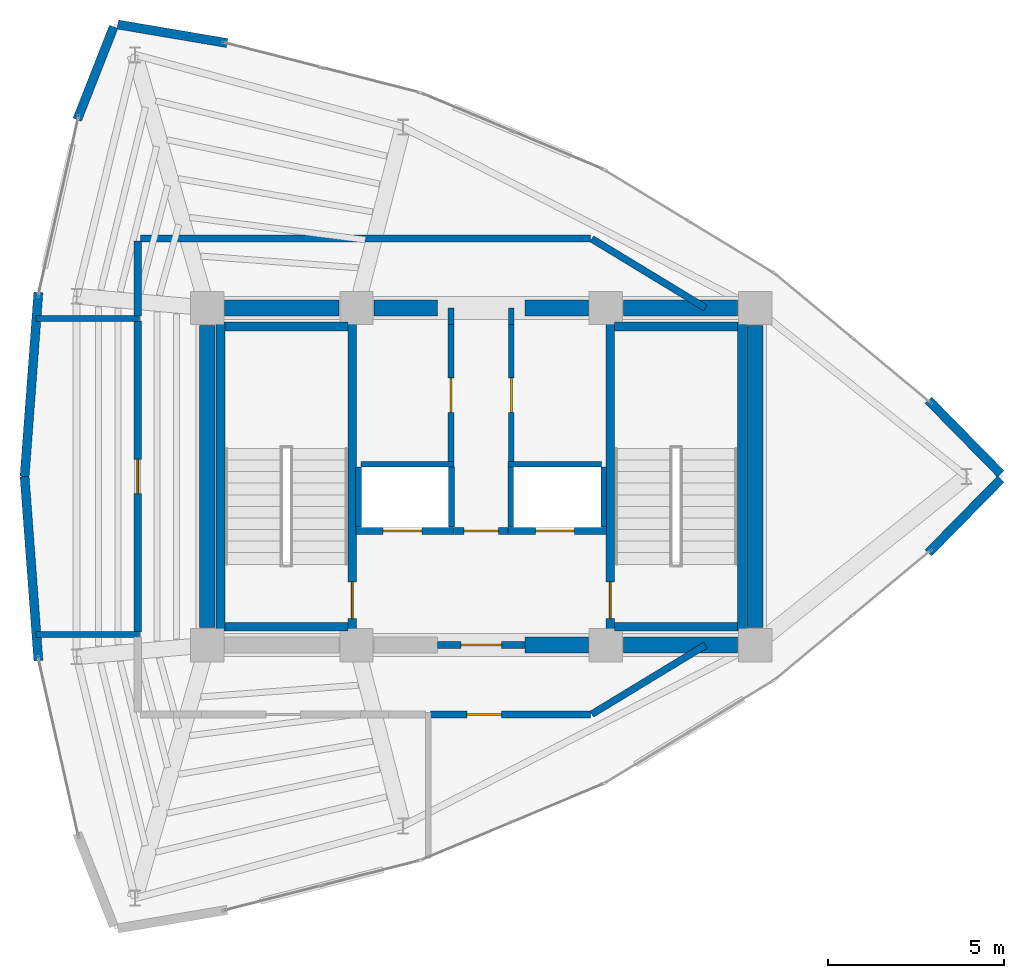
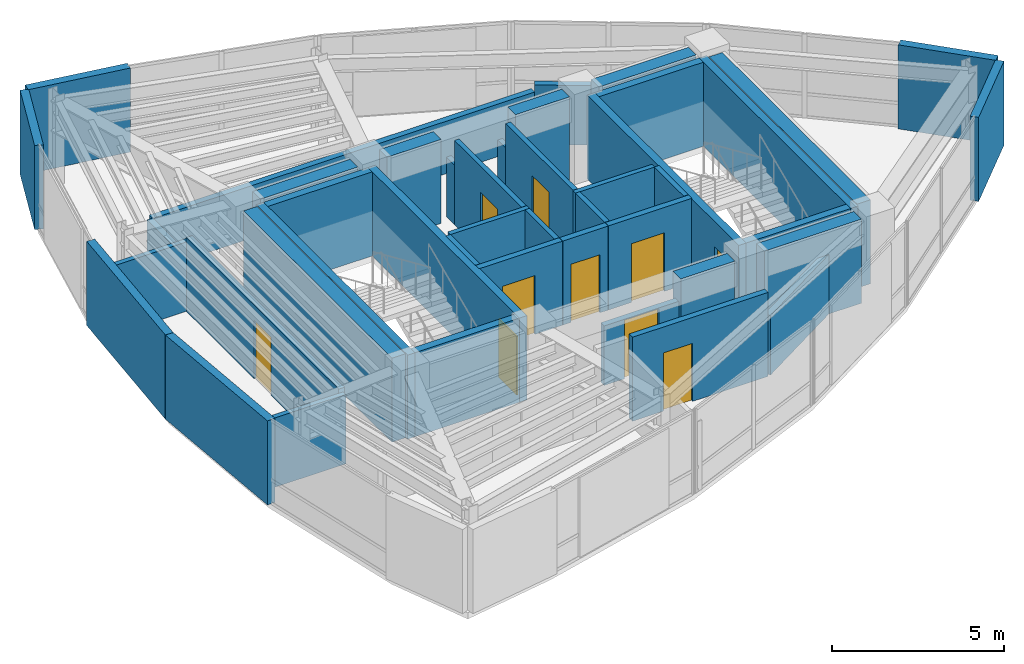
# One storey, part 12 of 14: 44 walls, 10 doors, 10 openings.
"""IFC4 building model written with IfcOpenShell, lengths in metres."""

from ifc_helpers import new_model, si_unit, direction, frame, frame_2d, origin, place, context, subcontext, project, spatial, rectangle, extrude, material, layer, layer_set, type_object, element, fill, save


model = new_model("IFC4")

# Units and contexts
model_context = context("Model", 3, precision=1e-05, world=origin(), true_north=direction((0.0, 1.0)))
body_context = subcontext(model_context, "Body", "Model", "MODEL_VIEW")
ifc_project = project(units=[si_unit("LENGTHUNIT", "METRE"), si_unit("AREAUNIT", "SQUARE_METRE"), si_unit("VOLUMEUNIT", "CUBIC_METRE"), si_unit("PLANEANGLEUNIT", "RADIAN"), si_unit("MASSUNIT", "GRAM", prefix="KILO")], contexts=[model_context])

# Site, building, storey
site_placement = place(None, origin())
site = spatial("IfcSite", under=ifc_project, at=site_placement, CompositionType="ELEMENT")
building_placement = place(site_placement, origin())
building = spatial("IfcBuilding", under=site, at=building_placement, Name="Menara Vayukalpa", CompositionType="ELEMENT")
storey_placement = place(building_placement, frame((0.0, 0.0, 312.02001953125)))
storey = spatial("IfcBuildingStorey", under=building, at=storey_placement, Name="L80", CompositionType="ELEMENT", Elevation=312.02001953125)

# Walls
ifc_material_1 = material(Name="Concrete C50/60", Category="concrete")
ifc_layer_1 = layer(ifc_material_1, 0.449951171875)
ifc_layer_set_1 = layer_set([ifc_layer_1], Name="Concrete C50/60")
wall_type_1 = type_object("IfcWallType", Name="WAL-CW450", PredefinedType="SHEAR", material=ifc_layer_set_1)
wall_1_placement = place(storey_placement, frame((26.85009765625, 17.199951171875, 0.0), z_axis=(0.0, 0.0, 1.0), x_axis=(1.0, 0.0, 0.0)))
element("IfcWall", 1, at=wall_1_placement, inside=storey, type_object=wall_type_1, Name="L80 Buttressed Core Shear Wall CWS3", PredefinedType="SHEAR", context=body_context, shape_type="SweptSolid", body=[
    extrude(rectangle(XDim=1.804931640625, YDim=0.449951171875, at=frame_2d((0.90234375, 0.0))), origin(), (0.0, 0.0, 1.0), 2.97998046875),
])
for number, where, z_axis, x_axis, name in (
    (2, (29.64501953125, 17.199951171875, 0.0), (0.0, 0.0, 1.0), (1.0, 0.0, 0.0), "L80 Buttressed Core Shear Wall CWS4"),
    (3, (18.294921875, 26.800048828125, 0.0), (0.0, 0.0, 1.0), (1.0, 0.0, 0.0), "L80 Buttressed Core Shear Wall CWN1"),
):
    element("IfcWall", number, at=place(storey_placement, frame(where, z_axis=z_axis, x_axis=x_axis)), inside=storey, type_object=wall_type_1, Name=name, PredefinedType="SHEAR", context=body_context, shape_type="SweptSolid", body=[
        extrude(rectangle(XDim=3.260009765625, YDim=0.449951171875, at=frame_2d((1.6298828125, 0.0))), origin(), (0.0, 0.0, 1.0), 2.97998046875),
    ])
wall_2_placement = place(storey_placement, frame((22.544921875, 26.800048828125, 0.0), z_axis=(0.0, 0.0, 1.0), x_axis=(1.0, 0.0, 0.0)))
element("IfcWall", 4, at=wall_2_placement, inside=storey, type_object=wall_type_1, Name="L80 Buttressed Core Shear Wall CWN2", PredefinedType="SHEAR", context=body_context, shape_type="SweptSolid", body=[
    extrude(rectangle(XDim=1.80517578125, YDim=0.449951171875, at=frame_2d((0.902587890625, 0.0))), origin(), (0.0, 0.0, 1.0), 2.97998046875),
])
wall_3_placement = place(storey_placement, frame((26.85009765625, 26.800048828125, 0.0), z_axis=(0.0, 0.0, 1.0), x_axis=(1.0, 0.0, 0.0)))
element("IfcWall", 5, at=wall_3_placement, inside=storey, type_object=wall_type_1, Name="L80 Buttressed Core Shear Wall CWN3", PredefinedType="SHEAR", context=body_context, shape_type="SweptSolid", body=[
    extrude(rectangle(XDim=1.804931640625, YDim=0.449951171875, at=frame_2d((0.90234375, 0.0))), origin(), (0.0, 0.0, 1.0), 2.97998046875),
])
wall_4_placement = place(storey_placement, frame((29.64501953125, 26.800048828125, 0.0), z_axis=(0.0, 0.0, 1.0), x_axis=(1.0, 0.0, 0.0)))
element("IfcWall", 6, at=wall_4_placement, inside=storey, type_object=wall_type_1, Name="L80 Buttressed Core Shear Wall CWN4", PredefinedType="SHEAR", context=body_context, shape_type="SweptSolid", body=[
    extrude(rectangle(XDim=3.260009765625, YDim=0.449951171875, at=frame_2d((1.6298828125, 0.0))), origin(), (0.0, 0.0, 1.0), 2.97998046875),
])
for number, where, z_axis, x_axis, name in (
    (7, (17.800048828125, 17.695068359375, 0.0), (0.0, 0.0, 1.0), (0.0, 1.0, 0.0), "L80 Buttressed Core Shear Wall CWW1"),
    (8, (33.39990234375, 17.695068359375, 0.0), (0.0, 0.0, 1.0), (0.0, 1.0, 0.0), "L80 Buttressed Core Shear Wall CWE1"),
):
    element("IfcWall", number, at=place(storey_placement, frame(where, z_axis=z_axis, x_axis=x_axis)), inside=storey, type_object=wall_type_1, Name=name, PredefinedType="SHEAR", context=body_context, shape_type="SweptSolid", body=[
        extrude(rectangle(XDim=8.60986328125, YDim=0.449951171875, at=frame_2d((4.304931640625, 0.0))), origin(), (0.0, 0.0, 1.0), 2.97998046875),
    ])
ifc_material_2 = material(Name="Insulated Precast Concrete C40/50", Category="concrete")
ifc_layer_2 = layer(ifc_material_2, 0.260009765625)
ifc_layer_set_2 = layer_set([ifc_layer_2], Name="Insulated Precast Concrete C40/50")
wall_type_2 = type_object("IfcWallType", Name="WAL-EXT260", PredefinedType="PARTITIONING", material=ifc_layer_set_2)
for number, where, z_axis, x_axis, name in (
    (9, (40.394287109375, 21.923828125, 0.0), (0.0, 0.0, 1.0), (-0.700603142499, -0.713551145133, 0.0), "L80 Perimeter Terracotta Pier Wall 01"),
    (10, (38.33349609375, 24.175048828125, 0.0), (0.0, 0.0, 1.0), (0.700603142499, -0.713551145133, 0.0), "L80 Perimeter Terracotta Pier Wall 02"),
):
    element("IfcWall", number, at=place(storey_placement, frame(where, z_axis=z_axis, x_axis=x_axis)), inside=storey, type_object=wall_type_2, Name=name, PredefinedType="PARTITIONING", context=body_context, shape_type="SweptSolid", body=[
        extrude(rectangle(XDim=2.94140625, YDim=0.260009765625, at=frame_2d((1.470703125, 0.0))), origin(), (0.0, 0.0, 1.0), 2.97998046875),
    ])
wall_5_placement = place(storey_placement, frame((15.251708984375, 34.87158203125, 0.0), z_axis=(0.0, 0.0, 1.0), x_axis=(0.985905089134, -0.167305574383, 0.0)))
element("IfcWall", 11, at=wall_5_placement, inside=storey, type_object=wall_type_2, Name="L80 Perimeter Terracotta Pier Wall 07", PredefinedType="PARTITIONING", context=body_context, shape_type="SweptSolid", body=[
    extrude(rectangle(XDim=3.1591796875, YDim=0.260009765625, at=frame_2d((1.57958984375, 0.0))), origin(), (0.0, 0.0, 1.0), 2.97998046875),
])
wall_6_placement = place(storey_placement, frame((14.09619140625, 32.1630859375, 0.0), z_axis=(0.0, 0.0, 1.0), x_axis=(0.365495346637, 0.930813166853, 0.0)))
element("IfcWall", 12, at=wall_6_placement, inside=storey, type_object=wall_type_2, Name="L80 Perimeter Terracotta Pier Wall 08", PredefinedType="PARTITIONING", context=body_context, shape_type="SweptSolid", body=[
    extrude(rectangle(XDim=2.838134765625, YDim=0.260009765625, at=frame_2d((1.4189453125, 0.0))), origin(), (0.0, 0.0, 1.0), 2.97998046875),
])
for number, where, z_axis, x_axis, name in (
    (13, (12.596435546875, 22.0, 0.0), (0.0, 0.0, 1.0), (0.074768012725, 0.99720095481, 0.0), "L80 Perimeter Terracotta Pier Wall 10"),
    (14, (12.989501953125, 16.757568359375, 0.0), (0.0, 0.0, 1.0), (-0.074768012725, 0.99720095481, 0.0), "L80 Perimeter Terracotta Pier Wall 11"),
):
    element("IfcWall", number, at=place(storey_placement, frame(where, z_axis=z_axis, x_axis=x_axis)), inside=storey, type_object=wall_type_2, Name=name, PredefinedType="PARTITIONING", context=body_context, shape_type="SweptSolid", body=[
        extrude(rectangle(XDim=5.257080078125, YDim=0.260009765625, at=frame_2d((2.62841796875, 0.0))), origin(), (0.0, 0.0, 1.0), 2.97998046875),
    ])
ifc_material_3 = material(Name="Lightweight Concrete Blockwork C16/20", Category="masonry")
ifc_layer_3 = layer(ifc_material_3, 0.159912109375)
ifc_layer_set_3 = layer_set([ifc_layer_3], Name="Lightweight Concrete Blockwork C16/20")
wall_type_3 = type_object("IfcWallType", Name="WAL-FR150", PredefinedType="PARTITIONING", material=ifc_layer_set_3)
for number, where, z_axis, x_axis, name in (
    (15, (22.10498046875, 20.56005859375, 0.0), (0.0, 0.0, 1.0), (0.0, 1.0, 0.0), "L80 Interior Partition IW-L80-SHW-WW"),
    (16, (24.7548828125, 20.56005859375, 0.0), (0.0, 0.0, 1.0), (0.0, 1.0, 0.0), "L80 Interior Partition IW-L80-SHW-W1E"),
):
    element("IfcWall", number, at=place(storey_placement, frame(where, z_axis=z_axis, x_axis=x_axis)), inside=storey, type_object=wall_type_3, Name=name, PredefinedType="PARTITIONING", context=body_context, shape_type="SweptSolid", body=[
        extrude(rectangle(XDim=1.7099609375, YDim=0.159912109375, at=frame_2d((0.85498046875, 0.0))), origin(), (0.0, 0.0, 1.0), 2.97998046875),
    ])
wall_7_placement = place(storey_placement, frame((22.179931640625, 22.344970703125, 0.0), z_axis=(0.0, 0.0, 1.0), x_axis=(1.0, 0.0, 0.0)))
element("IfcWall", 17, at=wall_7_placement, inside=storey, type_object=wall_type_3, Name="L80 Interior Partition IW-L80-SHM-W12", PredefinedType="PARTITIONING", context=body_context, shape_type="SweptSolid", body=[
    extrude(rectangle(XDim=2.650146484375, YDim=0.159912109375, at=frame_2d((1.3251953125, 0.0))), origin(), (0.0, 0.0, 1.0), 2.97998046875),
])
for number, where, z_axis, x_axis, name in (
    (18, (29.094970703125, 20.56005859375, 0.0), (0.0, 0.0, 1.0), (0.0, 1.0, 0.0), "L80 Interior Partition IW-L80-SHW-EE"),
    (19, (26.445068359375, 20.56005859375, 0.0), (0.0, 0.0, 1.0), (0.0, 1.0, 0.0), "L80 Interior Partition IW-L80-SHW-E1W"),
):
    element("IfcWall", number, at=place(storey_placement, frame(where, z_axis=z_axis, x_axis=x_axis)), inside=storey, type_object=wall_type_3, Name=name, PredefinedType="PARTITIONING", context=body_context, shape_type="SweptSolid", body=[
        extrude(rectangle(XDim=1.7099609375, YDim=0.159912109375, at=frame_2d((0.85498046875, 0.0))), origin(), (0.0, 0.0, 1.0), 2.97998046875),
    ])
wall_8_placement = place(storey_placement, frame((26.3701171875, 22.344970703125, 0.0), z_axis=(0.0, 0.0, 1.0), x_axis=(1.0, 0.0, 0.0)))
element("IfcWall", 20, at=wall_8_placement, inside=storey, type_object=wall_type_3, Name="L80 Interior Partition IW-L80-SHM-E13", PredefinedType="PARTITIONING", context=body_context, shape_type="SweptSolid", body=[
    extrude(rectangle(XDim=2.64990234375, YDim=0.159912109375, at=frame_2d((1.324951171875, 0.0))), origin(), (0.0, 0.0, 1.0), 2.97998046875),
])
wall_9_placement = place(storey_placement, frame((24.739990234375, 26.3349609375, 0.0), z_axis=(0.0, 0.0, 1.0), x_axis=(0.0, 1.0, 0.0)))
element("IfcWall", 21, at=wall_9_placement, inside=storey, type_object=wall_type_3, Name="L80 Interior Partition IW-L80-CPL1 Beam Collar 1", PredefinedType="PARTITIONING", context=body_context, shape_type="SweptSolid", body=[
    extrude(rectangle(XDim=0.465087890625, YDim=0.159912109375, at=frame_2d((0.232421875, 0.0))), origin(), (0.0, 0.0, 1.0), 2.10986328125),
])

# Wall, opening, door
wall_10_placement = place(storey_placement, frame((24.739990234375, 22.429931640625, 0.0), z_axis=(0.0, 0.0, 1.0), x_axis=(0.0, 1.0, 0.0)))
wall_10 = element("IfcWall", 22, at=wall_10_placement, inside=storey, type_object=wall_type_3, Name="L80 Interior Partition IW-L80-CPL1", PredefinedType="PARTITIONING", context=body_context, shape_type="SweptSolid", body=[
    extrude(rectangle(XDim=3.905029296875, YDim=0.159912109375, at=frame_2d((1.95263671875, 0.0))), origin(), (0.0, 0.0, 1.0), 2.97998046875),
])
opening_1_placement = place(wall_10_placement, frame((1.39990234375, 0.0, 0.0)))
opening_1 = element("IfcOpeningElement", 23, at=opening_1_placement, cuts=wall_10, Name="Opening ID3", PredefinedType="OPENING", context=body_context, shape_type="SweptSolid", body=[
    extrude(rectangle(XDim=0.97998046875, YDim=2.06005859375, at=frame_2d((0.489990234375, 1.030029296875))), frame((0.0, 0.08984375, 0.0), z_axis=(0.0, -1.0, 0.0), x_axis=(1.0, 0.0, 0.0)), (0.0, 0.0, 1.0), 0.179931640625),
])
ifc_material_4 = material(Name="Fire-Rated Powder-Coated Steel Door", Category="steel")
door_type_1 = type_object("IfcDoorType", Name="DR-FD60", OperationType="NOTDEFINED", PredefinedType="DOOR", material=ifc_material_4)
door_1_placement = place(opening_1_placement, origin())
door_1 = element("IfcDoor", 24, at=door_1_placement, inside=storey, type_object=door_type_1, Name="L80 Interior Door DR-L80-CPL1", OperationType="SINGLE_SWING_RIGHT", OverallHeight=2.06005859375, OverallWidth=0.97998046875, PredefinedType="DOOR", context=body_context, shape_type="SweptSolid", body=[
    extrude(rectangle(XDim=0.97998046875, YDim=2.06005859375, at=frame_2d((0.489990234375, 1.030029296875))), frame((0.0, 0.02490234375, 0.0), z_axis=(0.0, -1.0, 0.0), x_axis=(1.0, 0.0, 0.0)), (0.0, 0.0, 1.0), 0.050048828125),
])
fill(opening_1, door_1)

# Wall
wall_11_placement = place(storey_placement, frame((26.4599609375, 26.3349609375, 0.0), z_axis=(0.0, 0.0, 1.0), x_axis=(0.0, 1.0, 0.0)))
element("IfcWall", 25, at=wall_11_placement, inside=storey, type_object=wall_type_3, Name="L80 Interior Partition IW-L80-CPL2 Beam Collar 1", PredefinedType="PARTITIONING", context=body_context, shape_type="SweptSolid", body=[
    extrude(rectangle(XDim=0.465087890625, YDim=0.159912109375, at=frame_2d((0.232421875, 0.0))), origin(), (0.0, 0.0, 1.0), 2.10986328125),
])

# Wall, opening, door
wall_12_placement = place(storey_placement, frame((26.4599609375, 22.429931640625, 0.0), z_axis=(0.0, 0.0, 1.0), x_axis=(0.0, 1.0, 0.0)))
wall_12 = element("IfcWall", 26, at=wall_12_placement, inside=storey, type_object=wall_type_3, Name="L80 Interior Partition IW-L80-CPL2", PredefinedType="PARTITIONING", context=body_context, shape_type="SweptSolid", body=[
    extrude(rectangle(XDim=3.905029296875, YDim=0.159912109375, at=frame_2d((1.95263671875, 0.0))), origin(), (0.0, 0.0, 1.0), 2.97998046875),
])
opening_2_placement = place(wall_12_placement, frame((1.39990234375, 0.0, 0.0)))
opening_2 = element("IfcOpeningElement", 27, at=opening_2_placement, cuts=wall_12, Name="Opening ID3", PredefinedType="OPENING", context=body_context, shape_type="SweptSolid", body=[
    extrude(rectangle(XDim=0.97998046875, YDim=2.06005859375, at=frame_2d((0.489990234375, 1.030029296875))), frame((0.0, 0.08984375, 0.0), z_axis=(0.0, -1.0, 0.0), x_axis=(1.0, 0.0, 0.0)), (0.0, 0.0, 1.0), 0.179931640625),
])
door_2_placement = place(opening_2_placement, origin())
door_2 = element("IfcDoor", 28, at=door_2_placement, inside=storey, type_object=door_type_1, Name="L80 Interior Door DR-L80-CPL2", OperationType="SINGLE_SWING_LEFT", OverallHeight=2.06005859375, OverallWidth=0.97998046875, PredefinedType="DOOR", context=body_context, shape_type="SweptSolid", body=[
    extrude(rectangle(XDim=0.97998046875, YDim=2.06005859375, at=frame_2d((0.489990234375, 1.030029296875))), frame((0.0, 0.02490234375, 0.0), z_axis=(0.0, -1.0, 0.0), x_axis=(1.0, 0.0, 0.0)), (0.0, 0.0, 1.0), 0.050048828125),
])
fill(opening_2, door_2)

# Walls
for number, where, z_axis, x_axis, name in (
    (29, (12.923828125, 17.5, 0.0), (0.0, 0.0, 1.0), (1.0, 0.0, 0.0), "L80 Interior Partition IW-L80-RDIV01"),
    (30, (12.923828125, 26.5, 0.0), (0.0, 0.0, 1.0), (1.0, 0.0, 0.0), "L80 Interior Partition IW-L80-RDIV02"),
):
    element("IfcWall", number, at=place(storey_placement, frame(where, z_axis=z_axis, x_axis=x_axis)), inside=storey, type_object=wall_type_3, Name=name, PredefinedType="PARTITIONING", context=body_context, shape_type="SweptSolid", body=[
        extrude(rectangle(XDim=2.9462890625, YDim=0.159912109375, at=frame_2d((1.47314453125, 0.0))), origin(), (0.0, 0.0, 1.0), 2.4599609375),
    ])

# Wall, opening, door
ifc_material_5 = material(Name="Lightweight Concrete Blockwork C16/20", Category="masonry")
ifc_layer_4 = layer(ifc_material_5, 0.199951171875)
ifc_layer_set_4 = layer_set([ifc_layer_4], Name="Lightweight Concrete Blockwork C16/20")
wall_type_4 = type_object("IfcWallType", Name="WAL-FR200", PredefinedType="PARTITIONING", material=ifc_layer_set_4)
wall_13_placement = place(storey_placement, frame((24.35009765625, 17.199951171875, 0.0), z_axis=(0.0, 0.0, 1.0), x_axis=(1.0, 0.0, 0.0)))
wall_13 = element("IfcWall", 31, at=wall_13_placement, inside=storey, type_object=wall_type_4, Name="L80 Interior Partition IW-L80-FFLS", PredefinedType="PARTITIONING", context=body_context, shape_type="SweptSolid", body=[
    extrude(rectangle(XDim=2.5, YDim=0.199951171875, at=frame_2d((1.25, 0.0))), origin(), (0.0, 0.0, 1.0), 2.10986328125),
])
opening_3_placement = place(wall_13_placement, frame((0.679931640625, 0.0, 0.0)))
opening_3 = element("IfcOpeningElement", 32, at=opening_3_placement, cuts=wall_13, Name="Opening ID2", PredefinedType="OPENING", context=body_context, shape_type="SweptSolid", body=[
    extrude(rectangle(XDim=1.14990234375, YDim=2.080078125, at=frame_2d((0.574951171875, 1.0400390625))), frame((0.0, 0.10986328125, 0.0), z_axis=(0.0, -1.0, 0.0), x_axis=(1.0, 0.0, 0.0)), (0.0, 0.0, 1.0), 0.219970703125),
])
ifc_material_6 = material(Name="Fire-Rated Powder-Coated Steel Door", Category="steel")
door_type_2 = type_object("IfcDoorType", Name="DR-FD60W", OperationType="NOTDEFINED", PredefinedType="DOOR", material=ifc_material_6)
door_3_placement = place(opening_3_placement, origin())
door_3 = element("IfcDoor", 33, at=door_3_placement, inside=storey, type_object=door_type_2, Name="L80 Interior Door DR-L80-FFLS", OperationType="SINGLE_SWING_RIGHT", OverallHeight=2.080078125, OverallWidth=1.14990234375, PredefinedType="DOOR", context=body_context, shape_type="SweptSolid", body=[
    extrude(rectangle(XDim=1.14990234375, YDim=2.080078125, at=frame_2d((0.574951171875, 1.0400390625))), frame((0.0, 0.02490234375, 0.0), z_axis=(0.0, -1.0, 0.0), x_axis=(1.0, 0.0, 0.0)), (0.0, 0.0, 1.0), 0.050048828125),
])
fill(opening_3, door_3)

wall_14_placement = place(storey_placement, frame((24.840087890625, 20.449951171875, 0.0), z_axis=(0.0, 0.0, 1.0), x_axis=(1.0, 0.0, 0.0)))
wall_14 = element("IfcWall", 34, at=wall_14_placement, inside=storey, type_object=wall_type_4, Name="L80 Interior Partition IW-L80-FFLN", PredefinedType="PARTITIONING", context=body_context, shape_type="SweptSolid", body=[
    extrude(rectangle(XDim=1.52001953125, YDim=0.199951171875, at=frame_2d((0.760009765625, 0.0))), origin(), (0.0, 0.0, 1.0), 2.97998046875),
])
opening_4_placement = place(wall_14_placement, frame((0.27001953125, 0.0, 0.0)))
opening_4 = element("IfcOpeningElement", 35, at=opening_4_placement, cuts=wall_14, Name="Opening ID3", PredefinedType="OPENING", context=body_context, shape_type="SweptSolid", body=[
    extrude(rectangle(XDim=0.97998046875, YDim=2.06005859375, at=frame_2d((0.489990234375, 1.030029296875))), frame((0.0, 0.10986328125, 0.0), z_axis=(0.0, -1.0, 0.0), x_axis=(1.0, 0.0, 0.0)), (0.0, 0.0, 1.0), 0.219970703125),
])
door_4_placement = place(opening_4_placement, origin())
door_4 = element("IfcDoor", 36, at=door_4_placement, inside=storey, type_object=door_type_1, Name="L80 Interior Door DR-L80-FFLN", OperationType="SINGLE_SWING_LEFT", OverallHeight=2.06005859375, OverallWidth=0.97998046875, PredefinedType="DOOR", context=body_context, shape_type="SweptSolid", body=[
    extrude(rectangle(XDim=0.97998046875, YDim=2.06005859375, at=frame_2d((0.489990234375, 1.030029296875))), frame((0.0, 0.02490234375, 0.0), z_axis=(0.0, -1.0, 0.0), x_axis=(1.0, 0.0, 0.0)), (0.0, 0.0, 1.0), 0.050048828125),
])
fill(opening_4, door_4)

wall_15_placement = place(storey_placement, frame((22.030029296875, 20.449951171875, 0.0), z_axis=(0.0, 0.0, 1.0), x_axis=(1.0, 0.0, 0.0)))
wall_15 = element("IfcWall", 37, at=wall_15_placement, inside=storey, type_object=wall_type_4, Name="L80 Interior Partition IW-L80-SH-W1", PredefinedType="PARTITIONING", context=body_context, shape_type="SweptSolid", body=[
    extrude(rectangle(XDim=2.800048828125, YDim=0.199951171875, at=frame_2d((1.39990234375, 0.0))), origin(), (0.0, 0.0, 1.0), 2.97998046875),
])
opening_5_placement = place(wall_15_placement, frame((0.780029296875, 0.0, 0.0)))
opening_5 = element("IfcOpeningElement", 38, at=opening_5_placement, cuts=wall_15, Name="Opening LD1", PredefinedType="OPENING", context=body_context, shape_type="SweptSolid", body=[
    extrude(rectangle(XDim=1.10009765625, YDim=2.080078125, at=frame_2d((0.550048828125, 1.0400390625))), frame((0.0, 0.10986328125, 0.0), z_axis=(0.0, -1.0, 0.0), x_axis=(1.0, 0.0, 0.0)), (0.0, 0.0, 1.0), 0.219970703125),
])
ifc_material_7 = material(Name="Brushed Stainless Steel 316 Lift Door", Category="steel")
door_type_3 = type_object("IfcDoorType", Name="DR-LD110", OperationType="NOTDEFINED", PredefinedType="DOOR", material=ifc_material_7)
door_5_placement = place(opening_5_placement, origin())
door_5 = element("IfcDoor", 39, at=door_5_placement, inside=storey, type_object=door_type_3, Name="L80 Interior Door DR-L80-LD-W1", OperationType="DOUBLE_DOOR_SLIDING", OverallHeight=2.080078125, OverallWidth=1.10009765625, PredefinedType="DOOR", context=body_context, shape_type="SweptSolid", body=[
    extrude(rectangle(XDim=1.10009765625, YDim=2.080078125, at=frame_2d((0.550048828125, 1.0400390625))), frame((0.0, 0.02490234375, 0.0), z_axis=(0.0, -1.0, 0.0), x_axis=(1.0, 0.0, 0.0)), (0.0, 0.0, 1.0), 0.050048828125),
])
fill(opening_5, door_5)

wall_16_placement = place(storey_placement, frame((26.3701171875, 20.449951171875, 0.0), z_axis=(0.0, 0.0, 1.0), x_axis=(1.0, 0.0, 0.0)))
wall_16 = element("IfcWall", 40, at=wall_16_placement, inside=storey, type_object=wall_type_4, Name="L80 Interior Partition IW-L80-SH-E1", PredefinedType="PARTITIONING", context=body_context, shape_type="SweptSolid", body=[
    extrude(rectangle(XDim=2.7998046875, YDim=0.199951171875, at=frame_2d((1.39990234375, 0.0))), origin(), (0.0, 0.0, 1.0), 2.97998046875),
])
opening_6_placement = place(wall_16_placement, frame((0.780029296875, 0.0, 0.0)))
opening_6 = element("IfcOpeningElement", 41, at=opening_6_placement, cuts=wall_16, Name="Opening LD1", PredefinedType="OPENING", context=body_context, shape_type="SweptSolid", body=[
    extrude(rectangle(XDim=1.10009765625, YDim=2.080078125, at=frame_2d((0.550048828125, 1.0400390625))), frame((0.0, 0.10986328125, 0.0), z_axis=(0.0, -1.0, 0.0), x_axis=(1.0, 0.0, 0.0)), (0.0, 0.0, 1.0), 0.219970703125),
])
door_6_placement = place(opening_6_placement, origin())
door_6 = element("IfcDoor", 42, at=door_6_placement, inside=storey, type_object=door_type_3, Name="L80 Interior Door DR-L80-LD-E1", OperationType="DOUBLE_DOOR_SLIDING", OverallHeight=2.080078125, OverallWidth=1.10009765625, PredefinedType="DOOR", context=body_context, shape_type="SweptSolid", body=[
    extrude(rectangle(XDim=1.10009765625, YDim=2.080078125, at=frame_2d((0.550048828125, 1.0400390625))), frame((0.0, 0.02490234375, 0.0), z_axis=(0.0, -1.0, 0.0), x_axis=(1.0, 0.0, 0.0)), (0.0, 0.0, 1.0), 0.050048828125),
])
fill(opening_6, door_6)

wall_17_placement = place(storey_placement, frame((24.160400390625, 15.219970703125, 0.0), z_axis=(0.0, 0.0, 1.0), x_axis=(1.0, 0.0, 0.0)))
wall_17 = element("IfcWall", 43, at=wall_17_placement, inside=storey, type_object=wall_type_4, Name="L80 Interior Partition IW-L80-CRM02-1", PredefinedType="PARTITIONING", context=body_context, shape_type="SweptSolid", body=[
    extrude(rectangle(XDim=4.54541015625, YDim=0.199951171875, at=frame_2d((2.272705078125, 0.0))), origin(), (0.0, 0.0, 1.0), 2.97998046875),
])
opening_7_placement = place(wall_17_placement, frame((1.031494140625, 0.0, 0.0)))
opening_7 = element("IfcOpeningElement", 44, at=opening_7_placement, cuts=wall_17, Name="Opening ID3", PredefinedType="OPENING", context=body_context, shape_type="SweptSolid", body=[
    extrude(rectangle(XDim=0.97998046875, YDim=2.06005859375, at=frame_2d((0.489990234375, 1.030029296875))), frame((0.0, 0.10986328125, 0.0), z_axis=(0.0, -1.0, 0.0), x_axis=(1.0, 0.0, 0.0)), (0.0, 0.0, 1.0), 0.219970703125),
])
door_7_placement = place(opening_7_placement, origin())
door_7 = element("IfcDoor", 45, at=door_7_placement, inside=storey, type_object=door_type_1, Name="L80 Interior Door DR-L80-RM02", OperationType="SINGLE_SWING_LEFT", OverallHeight=2.06005859375, OverallWidth=0.97998046875, PredefinedType="DOOR", context=body_context, shape_type="SweptSolid", body=[
    extrude(rectangle(XDim=0.97998046875, YDim=2.06005859375, at=frame_2d((0.489990234375, 1.030029296875))), frame((0.0, 0.02490234375, 0.0), z_axis=(0.0, -1.0, 0.0), x_axis=(1.0, 0.0, 0.0)), (0.0, 0.0, 1.0), 0.050048828125),
])
fill(opening_7, door_7)

# Walls
for number, where, z_axis, x_axis, name in (
    (46, (28.747314453125, 15.231689453125, 0.0), (0.0, 0.0, 1.0), (0.854690580489, 0.519137757847, 0.0), "L80 Interior Partition IW-L80-CRM02-2"),
    (47, (31.98779296875, 26.800048828125, 0.0), (0.0, 0.0, 1.0), (-0.854690580489, 0.519137757847, 0.0), "L80 Interior Partition IW-L80-CRM02-3"),
):
    element("IfcWall", number, at=place(storey_placement, frame(where, z_axis=z_axis, x_axis=x_axis)), inside=storey, type_object=wall_type_4, Name=name, PredefinedType="PARTITIONING", context=body_context, shape_type="SweptSolid", body=[
        extrude(rectangle(XDim=3.79150390625, YDim=0.199951171875, at=frame_2d((1.895751953125, 0.0))), origin(), (0.0, 0.0, 1.0), 2.10986328125),
    ])
wall_18_placement = place(storey_placement, frame((28.705810546875, 28.780029296875, 0.0), z_axis=(0.0, 0.0, 1.0), x_axis=(-1.0, 0.0, 0.0)))
element("IfcWall", 48, at=wall_18_placement, inside=storey, type_object=wall_type_4, Name="L80 Interior Partition IW-L80-CRM02-4", PredefinedType="PARTITIONING", context=body_context, shape_type="SweptSolid", body=[
    extrude(rectangle(XDim=12.805908203125, YDim=0.199951171875, at=frame_2d((6.40283203125, 0.0))), origin(), (0.0, 0.0, 1.0), 1.85986328125),
])
wall_19_placement = place(storey_placement, frame((15.820068359375, 28.699951171875, 0.0), z_axis=(0.0, 0.0, 1.0), x_axis=(0.0, -1.0, 0.0)))
element("IfcWall", 49, at=wall_19_placement, inside=storey, type_object=wall_type_4, Name="L80 Interior Partition IW-L80-CRM02-5", PredefinedType="PARTITIONING", context=body_context, shape_type="SweptSolid", body=[
    extrude(rectangle(XDim=2.1298828125, YDim=0.199951171875, at=frame_2d((1.06494140625, 0.0))), origin(), (0.0, 0.0, 1.0), 1.85986328125),
])

# Wall, opening, door
wall_20_placement = place(storey_placement, frame((15.820068359375, 26.429931640625, 0.0), z_axis=(0.0, 0.0, 1.0), x_axis=(0.0, -1.0, 0.0)))
wall_20 = element("IfcWall", 50, at=wall_20_placement, inside=storey, type_object=wall_type_4, Name="L80 Interior Partition IW-L80-CRM03-1", PredefinedType="PARTITIONING", context=body_context, shape_type="SweptSolid", body=[
    extrude(rectangle(XDim=8.85986328125, YDim=0.199951171875, at=frame_2d((4.429931640625, 0.0))), origin(), (0.0, 0.0, 1.0), 2.60986328125),
])
opening_8_placement = place(wall_20_placement, frame((3.93994140625, 0.0, 0.0)))
opening_8 = element("IfcOpeningElement", 51, at=opening_8_placement, cuts=wall_20, Name="Opening ID3", PredefinedType="OPENING", context=body_context, shape_type="SweptSolid", body=[
    extrude(rectangle(XDim=0.97998046875, YDim=2.06005859375, at=frame_2d((0.489990234375, 1.030029296875))), frame((0.0, 0.10986328125, 0.0), z_axis=(0.0, -1.0, 0.0), x_axis=(1.0, 0.0, 0.0)), (0.0, 0.0, 1.0), 0.219970703125),
])
door_8_placement = place(opening_8_placement, origin())
door_8 = element("IfcDoor", 52, at=door_8_placement, inside=storey, type_object=door_type_1, Name="L80 Interior Door DR-L80-RM03", OperationType="SINGLE_SWING_RIGHT", OverallHeight=2.06005859375, OverallWidth=0.97998046875, PredefinedType="DOOR", context=body_context, shape_type="SweptSolid", body=[
    extrude(rectangle(XDim=0.97998046875, YDim=2.06005859375, at=frame_2d((0.489990234375, 1.030029296875))), frame((0.0, 0.02490234375, 0.0), z_axis=(0.0, -1.0, 0.0), x_axis=(1.0, 0.0, 0.0)), (0.0, 0.0, 1.0), 0.050048828125),
])
fill(opening_8, door_8)

# Wall
ifc_material_8 = material(Name="Concrete C50/60", Category="concrete")
ifc_layer_5 = layer(ifc_material_8, 0.25)
ifc_layer_set_5 = layer_set([ifc_layer_5], Name="Concrete C50/60")
wall_type_5 = type_object("IfcWallType", Name="WAL-SW250", PredefinedType="SHEAR", material=ifc_layer_set_5)
wall_21_placement = place(storey_placement, frame((18.175048828125, 17.60009765625, 0.0), z_axis=(0.0, 0.0, 1.0), x_axis=(0.0, 1.0, 0.0)))
element("IfcWall", 53, at=wall_21_placement, inside=storey, type_object=wall_type_5, Name="L80 ST1 Structural Stair Shaft Wall W", PredefinedType="SHEAR", context=body_context, shape_type="SweptSolid", body=[
    extrude(rectangle(XDim=8.7998046875, YDim=0.25, at=frame_2d((4.39990234375, 0.0))), origin(), (0.0, 0.0, 1.0), 2.97998046875),
])

# Wall, opening, door
wall_22_placement = place(storey_placement, frame((21.925048828125, 17.60009765625, 0.0), z_axis=(0.0, 0.0, 1.0), x_axis=(0.0, 1.0, 0.0)))
wall_22 = element("IfcWall", 54, at=wall_22_placement, inside=storey, type_object=wall_type_5, Name="L80 ST1 Structural Stair Shaft Wall E", PredefinedType="SHEAR", context=body_context, shape_type="SweptSolid", body=[
    extrude(rectangle(XDim=8.7998046875, YDim=0.25, at=frame_2d((4.39990234375, 0.0))), origin(), (0.0, 0.0, 1.0), 2.97998046875),
])
opening_9_placement = place(wall_22_placement, frame((0.35009765625, 0.0, 0.0)))
opening_9 = element("IfcOpeningElement", 55, at=opening_9_placement, cuts=wall_22, Name="Opening ID1", PredefinedType="OPENING", context=body_context, shape_type="SweptSolid", body=[
    extrude(rectangle(XDim=1.050048828125, YDim=2.080078125, at=frame_2d((0.52490234375, 1.0400390625))), frame((0.0, 0.135009765625, 0.0), z_axis=(0.0, -1.0, 0.0), x_axis=(1.0, 0.0, 0.0)), (0.0, 0.0, 1.0), 0.27001953125),
])
ifc_material_9 = material(Name="Fire-Rated Powder-Coated Steel Door", Category="steel")
door_type_4 = type_object("IfcDoorType", Name="DR-FD120", OperationType="NOTDEFINED", PredefinedType="DOOR", material=ifc_material_9)
door_9_placement = place(opening_9_placement, origin())
door_9 = element("IfcDoor", 56, at=door_9_placement, inside=storey, type_object=door_type_4, Name="L80 Stair Exit Door DR-L80-ST1", OperationType="SINGLE_SWING_LEFT", OverallHeight=2.080078125, OverallWidth=1.050048828125, PredefinedType="DOOR", context=body_context, shape_type="SweptSolid", body=[
    extrude(rectangle(XDim=1.050048828125, YDim=2.080078125, at=frame_2d((0.52490234375, 1.0400390625))), frame((0.0, 0.02490234375, 0.0), z_axis=(0.0, -1.0, 0.0), x_axis=(1.0, 0.0, 0.0)), (0.0, 0.0, 1.0), 0.050048828125),
])
fill(opening_9, door_9)

# Walls
for number, where, z_axis, x_axis, name in (
    (57, (18.300048828125, 17.72509765625, 0.0), (0.0, 0.0, 1.0), (1.0, 0.0, 0.0), "L80 ST1 Structural Stair Shaft Wall S"),
    (58, (18.300048828125, 26.27490234375, 0.0), (0.0, 0.0, 1.0), (1.0, 0.0, 0.0), "L80 ST1 Structural Stair Shaft Wall N"),
):
    element("IfcWall", number, at=place(storey_placement, frame(where, z_axis=z_axis, x_axis=x_axis)), inside=storey, type_object=wall_type_5, Name=name, PredefinedType="SHEAR", context=body_context, shape_type="SweptSolid", body=[
        extrude(rectangle(XDim=3.5, YDim=0.25, at=frame_2d((1.75, 0.0))), origin(), (0.0, 0.0, 1.0), 2.97998046875),
    ])

# Wall, opening, door
wall_23_placement = place(storey_placement, frame((29.27490234375, 17.60009765625, 0.0), z_axis=(0.0, 0.0, 1.0), x_axis=(0.0, 1.0, 0.0)))
wall_23 = element("IfcWall", 59, at=wall_23_placement, inside=storey, type_object=wall_type_5, Name="L80 ST2 Structural Stair Shaft Wall W", PredefinedType="SHEAR", context=body_context, shape_type="SweptSolid", body=[
    extrude(rectangle(XDim=8.7998046875, YDim=0.25, at=frame_2d((4.39990234375, 0.0))), origin(), (0.0, 0.0, 1.0), 2.97998046875),
])
opening_10_placement = place(wall_23_placement, frame((0.35009765625, 0.0, 0.0)))
opening_10 = element("IfcOpeningElement", 60, at=opening_10_placement, cuts=wall_23, Name="Opening ID1", PredefinedType="OPENING", context=body_context, shape_type="SweptSolid", body=[
    extrude(rectangle(XDim=1.050048828125, YDim=2.080078125, at=frame_2d((0.52490234375, 1.0400390625))), frame((0.0, 0.135009765625, 0.0), z_axis=(0.0, -1.0, 0.0), x_axis=(1.0, 0.0, 0.0)), (0.0, 0.0, 1.0), 0.27001953125),
])
door_10_placement = place(opening_10_placement, origin())
door_10 = element("IfcDoor", 61, at=door_10_placement, inside=storey, type_object=door_type_4, Name="L80 Stair Exit Door DR-L80-ST2", OperationType="SINGLE_SWING_RIGHT", OverallHeight=2.080078125, OverallWidth=1.050048828125, PredefinedType="DOOR", context=body_context, shape_type="SweptSolid", body=[
    extrude(rectangle(XDim=1.050048828125, YDim=2.080078125, at=frame_2d((0.52490234375, 1.0400390625))), frame((0.0, 0.02490234375, 0.0), z_axis=(0.0, -1.0, 0.0), x_axis=(1.0, 0.0, 0.0)), (0.0, 0.0, 1.0), 0.050048828125),
])
fill(opening_10, door_10)

# Walls
wall_24_placement = place(storey_placement, frame((33.02490234375, 17.60009765625, 0.0), z_axis=(0.0, 0.0, 1.0), x_axis=(0.0, 1.0, 0.0)))
element("IfcWall", 62, at=wall_24_placement, inside=storey, type_object=wall_type_5, Name="L80 ST2 Structural Stair Shaft Wall E", PredefinedType="SHEAR", context=body_context, shape_type="SweptSolid", body=[
    extrude(rectangle(XDim=8.7998046875, YDim=0.25, at=frame_2d((4.39990234375, 0.0))), origin(), (0.0, 0.0, 1.0), 2.97998046875),
])
for number, where, z_axis, x_axis, name in (
    (63, (29.39990234375, 17.72509765625, 0.0), (0.0, 0.0, 1.0), (1.0, 0.0, 0.0), "L80 ST2 Structural Stair Shaft Wall S"),
    (64, (29.39990234375, 26.27490234375, 0.0), (0.0, 0.0, 1.0), (1.0, 0.0, 0.0), "L80 ST2 Structural Stair Shaft Wall N"),
):
    element("IfcWall", number, at=place(storey_placement, frame(where, z_axis=z_axis, x_axis=x_axis)), inside=storey, type_object=wall_type_5, Name=name, PredefinedType="SHEAR", context=body_context, shape_type="SweptSolid", body=[
        extrude(rectangle(XDim=3.5, YDim=0.25, at=frame_2d((1.75, 0.0))), origin(), (0.0, 0.0, 1.0), 2.97998046875),
    ])

save(model, "model.ifc")
